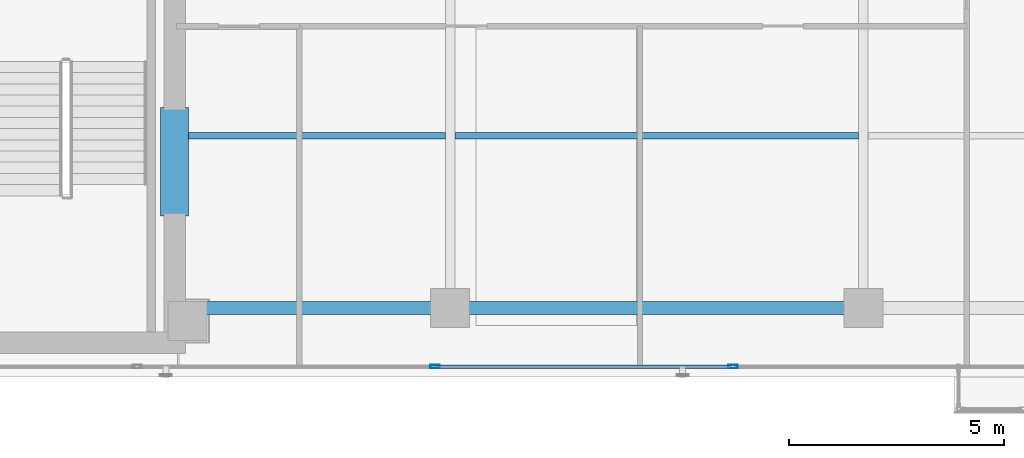
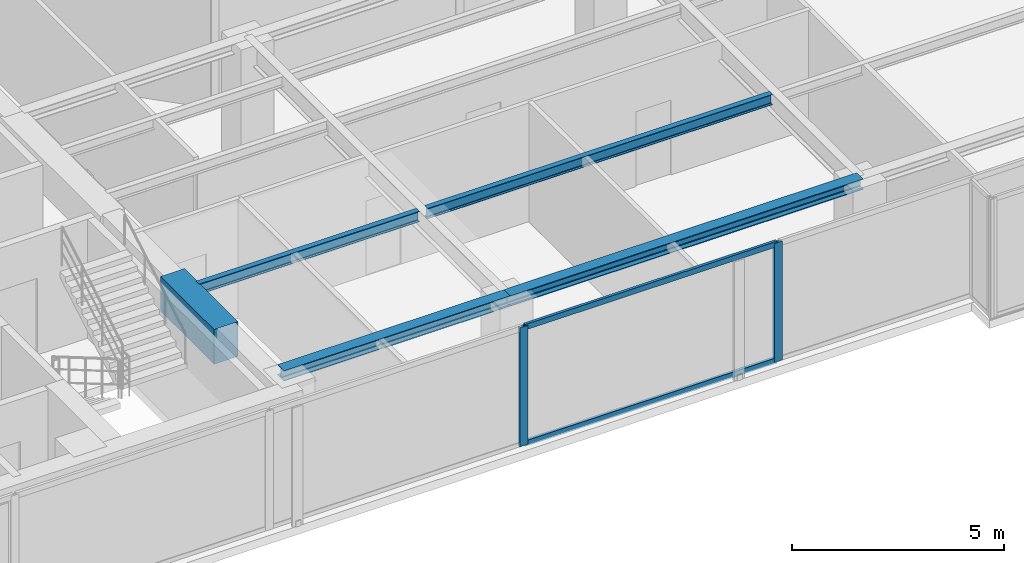
# One storey, part 4 of 23: 5 beams, 4 members, 1 element without a shape of its own.
"""IFC4 building model written with IfcOpenShell, lengths in metres."""

from ifc_helpers import new_model, si_unit, direction, frame, origin, origin_with_axes, origin_2d, place, context, subcontext, project, spatial, rectangle, hollow_rectangle, i_section, extrude, source, transform, mapped, material, layer, layer_set, material_profile, profile_set, type_object, element, aggregate, save


model = new_model("IFC4")

# Units and contexts
model_context = context("Model", 3, precision=1e-05, world=origin(), true_north=direction((0.0, 1.0)))
body_context = subcontext(model_context, "Body", "Model", "MODEL_VIEW")
ifc_project = project(units=[si_unit("LENGTHUNIT", "METRE"), si_unit("AREAUNIT", "SQUARE_METRE"), si_unit("VOLUMEUNIT", "CUBIC_METRE"), si_unit("PLANEANGLEUNIT", "RADIAN"), si_unit("MASSUNIT", "GRAM", prefix="KILO")], contexts=[model_context])

# Site, building, storey
site_placement = place(None, origin())
site = spatial("IfcSite", under=ifc_project, at=site_placement, CompositionType="ELEMENT")
building_placement = place(site_placement, origin())
building = spatial("IfcBuilding", under=site, at=building_placement, Name="Kolvaren Waterfront Exchange", CompositionType="ELEMENT")
storey_placement = place(building_placement, frame((0.0, 0.0, 335.0)))
storey = spatial("IfcBuildingStorey", under=building, at=storey_placement, Name="L86", CompositionType="ELEMENT", Elevation=335.0)

# Beams
ifc_material_1 = material(Name="Steel S355", Category="steel")
ifc_material_profile_1 = material_profile(ifc_material_1, i_section(OverallWidth=0.300048828125, OverallDepth=0.300048828125, WebThickness=0.010986328125, FlangeThickness=0.01904296875, FilletRadius=0.027099609375, at=origin_2d()), Name="HEB300")
ifc_profile_set_1 = profile_set([ifc_material_profile_1], Name="Steel S355")
beam_type_1 = type_object("IfcBeamType", Name="STR-BM-HEB300", PredefinedType="SPANDREL", material=ifc_profile_set_1)
beam_1_placement = place(storey_placement, frame((21.050048828125, 5.199951171875, 3.27001953125), z_axis=(1.0, 0.0, 0.0), x_axis=(0.0, 1.0, 0.0)))
element("IfcBeam", 1, at=beam_1_placement, inside=storey, type_object=beam_type_1, Name="L86 east-arm spandrel S1", PredefinedType="SPANDREL", context=body_context, shape_type="SweptSolid", body=[
    extrude(i_section(OverallWidth=0.300048828125, OverallDepth=0.300048828125, WebThickness=0.010986328125, FlangeThickness=0.01904296875, FilletRadius=0.027099609375, at=origin_2d()), origin(), (0.0, 0.0, 1.0), 6.14990234375),
])
beam_2_placement = place(storey_placement, frame((27.199951171875, 5.199951171875, 3.27001953125), z_axis=(1.0, 0.0, 0.0), x_axis=(0.0, 1.0, 0.0)))
element("IfcBeam", 2, at=beam_2_placement, inside=storey, type_object=beam_type_1, Name="L86 east-arm spandrel S2", PredefinedType="SPANDREL", context=body_context, shape_type="SweptSolid", body=[
    extrude(i_section(OverallWidth=0.300048828125, OverallDepth=0.300048828125, WebThickness=0.010986328125, FlangeThickness=0.01904296875, FilletRadius=0.027099609375, at=origin_2d()), origin(), (0.0, 0.0, 1.0), 9.60009765625),
])
ifc_material_profile_2 = material_profile(ifc_material_1, i_section(OverallWidth=0.14990234375, OverallDepth=0.300048828125, WebThickness=0.007080078125, FlangeThickness=0.0107421875, FilletRadius=0.014892578125, at=origin_2d()), Name="IPE300")
ifc_profile_set_2 = profile_set([ifc_material_profile_2], Name="Steel S355")
beam_type_2 = type_object("IfcBeamType", Name="STR-BM-IPE300", PredefinedType="JOIST", material=ifc_profile_set_2)
beam_3_placement = place(storey_placement, frame((21.10009765625, 9.199951171875, 3.27001953125), z_axis=(1.0, 0.0, 0.0), x_axis=(0.0, 1.0, 0.0)))
element("IfcBeam", 3, at=beam_3_placement, inside=storey, type_object=beam_type_2, Name="L86 east-arm composite joist 1B", PredefinedType="JOIST", context=body_context, shape_type="SweptSolid", body=[
    extrude(i_section(OverallWidth=0.14990234375, OverallDepth=0.300048828125, WebThickness=0.007080078125, FlangeThickness=0.0107421875, FilletRadius=0.014892578125, at=origin_2d()), origin(), (0.0, 0.0, 1.0), 5.98779296875),
])
beam_4_placement = place(storey_placement, frame((27.31201171875, 9.199951171875, 3.27001953125), z_axis=(1.0, 0.0, 0.0), x_axis=(0.0, 1.0, 0.0)))
element("IfcBeam", 4, at=beam_4_placement, inside=storey, type_object=beam_type_2, Name="L86 east-arm composite joist 2B", PredefinedType="JOIST", context=body_context, shape_type="SweptSolid", body=[
    extrude(i_section(OverallWidth=0.14990234375, OverallDepth=0.300048828125, WebThickness=0.007080078125, FlangeThickness=0.0107421875, FilletRadius=0.014892578125, at=origin_2d()), origin(), (0.0, 0.0, 1.0), 9.3759765625),
])
ifc_material_2 = material(Name="Concrete C60/75", Category="concrete")
ifc_material_profile_3 = material_profile(ifc_material_2, rectangle(XDim=0.64990234375, YDim=1.0, at=origin_2d()), Name="RC-CB-1000x650")
ifc_profile_set_3 = profile_set([ifc_material_profile_3], Name="Concrete C60/75")
beam_type_3 = type_object("IfcBeamType", Name="STR-CB-1000", PredefinedType="SPANDREL", material=ifc_profile_set_3)
beam_5_placement = place(storey_placement, frame((20.800048828125, 7.340087890625, 2.919921875), z_axis=(0.0, 1.0, 0.0), x_axis=(-1.0, 0.0, 0.0)))
element("IfcBeam", 5, at=beam_5_placement, inside=storey, type_object=beam_type_3, Name="L86 core coupling beam 1", PredefinedType="SPANDREL", context=body_context, shape_type="SweptSolid", body=[
    extrude(rectangle(XDim=0.64990234375, YDim=1.0, at=origin_2d()), origin(), (0.0, 0.0, 1.0), 2.52001953125),
])

# Curtain wall, members
ifc_material_3 = material(Name="Anodised bronze aluminium 6063-T6", Category="aluminium")
ifc_layer = layer(ifc_material_3, 0.219970703125, Name="Anodised bronze aluminium 6063-T6")
ifc_layer_set = layer_set([ifc_layer], Name="Anodised bronze aluminium 6063-T6")
curtain_wall_type = type_object("IfcCurtainWallType", Name="ARC-CW-SYS1", PredefinedType="USERDEFINED", material=ifc_layer_set)
curtain_wall_placement = place(storey_placement, origin())
curtain_wall = element("IfcCurtainWall", 6, at=curtain_wall_placement, inside=storey, type_object=curtain_wall_type, Name="L86 stick curtain wall CW1 (CW-L86-S)", ObjectType="STICK CURTAIN WALL", PredefinedType="USERDEFINED")
ifc_material_4 = material(Name="Anodised aluminium 6063-T6", Category="aluminium")
ifc_material_profile_4 = material_profile(ifc_material_4, hollow_rectangle(XDim=0.080078125, YDim=0.219970703125, WallThickness=0.0048828125, at=origin_2d()), Name="ALU-MUL-220x80x5")
ifc_profile_set_4 = profile_set([ifc_material_profile_4], Name="Anodised aluminium 6063-T6")
member_type_1 = type_object("IfcMemberType", Name="ARC-CWM-220", PredefinedType="MULLION", material=ifc_profile_set_4)
shared_shape_1 = source(origin_with_axes(), body_context, "Body", "SweptSolid", [
    extrude(hollow_rectangle(XDim=0.080078125, YDim=0.219970703125, WallThickness=0.0048828125, at=origin_2d()), origin(), (0.0, 0.0, 1.0), 3.419921875),
])
member_1_placement = place(storey_placement, frame((26.85009765625, 3.840087890625, 0.0), z_axis=(0.0, 0.0, 1.0), x_axis=(0.0, 1.0, 0.0)))
member_1 = element("IfcMember", 7, at=member_1_placement, type_object=member_type_1, Name="CW1 mullion 4", PredefinedType="MULLION", context=body_context, shape_type="MappedRepresentation", body=[
    mapped(shared_shape_1, transform((0.0, 0.0, 0.0), x_axis=(1.0, 0.0, 0.0), y_axis=(0.0, 1.0, 0.0), z_axis=(0.0, 0.0, 1.0), scale=1.0)),
])
member_2_placement = place(storey_placement, frame((33.7666015625, 3.840087890625, 0.0), z_axis=(0.0, 0.0, 1.0), x_axis=(0.0, 1.0, 0.0)))
member_2 = element("IfcMember", 8, at=member_2_placement, type_object=member_type_1, Name="CW1 mullion 5", PredefinedType="MULLION", context=body_context, shape_type="MappedRepresentation", body=[
    mapped(shared_shape_1, transform((0.0, 0.0, 0.0), x_axis=(1.0, 0.0, 0.0), y_axis=(0.0, 1.0, 0.0), z_axis=(0.0, 0.0, 1.0), scale=1.0)),
])
ifc_material_profile_5 = material_profile(ifc_material_4, hollow_rectangle(XDim=0.074951171875, YDim=0.159912109375, WallThickness=0.00439453125, at=origin_2d()), Name="ALU-TRN-160x75x4.5")
ifc_profile_set_5 = profile_set([ifc_material_profile_5], Name="Anodised aluminium 6063-T6")
member_type_2 = type_object("IfcMemberType", Name="ARC-CWT-160", PredefinedType="USERDEFINED", material=ifc_profile_set_5)
shared_shape_2 = source(origin_with_axes(), body_context, "Body", "SweptSolid", [
    extrude(hollow_rectangle(XDim=0.074951171875, YDim=0.159912109375, WallThickness=0.00439453125, at=origin_2d()), origin(), (0.0, 0.0, 1.0), 6.836669921875),
])
member_3_placement = place(storey_placement, frame((26.889892578125, 3.840087890625, 0.03759765625), z_axis=(1.0, 0.0, 0.0), x_axis=(0.0, 1.0, 0.0)))
member_3 = element("IfcMember", 9, at=member_3_placement, type_object=member_type_2, Name="CW1 transom 4.1", ObjectType="TRANSOM", PredefinedType="USERDEFINED", context=body_context, shape_type="MappedRepresentation", body=[
    mapped(shared_shape_2, transform((0.0, 0.0, 0.0), x_axis=(1.0, 0.0, 0.0), y_axis=(0.0, 1.0, 0.0), z_axis=(0.0, 0.0, 1.0), scale=1.0)),
])
member_4_placement = place(storey_placement, frame((26.889892578125, 3.840087890625, 3.382568359375), z_axis=(1.0, 0.0, 0.0), x_axis=(0.0, 1.0, 0.0)))
member_4 = element("IfcMember", 10, at=member_4_placement, type_object=member_type_2, Name="CW1 transom 4.2", ObjectType="TRANSOM", PredefinedType="USERDEFINED", context=body_context, shape_type="MappedRepresentation", body=[
    mapped(shared_shape_2, transform((0.0, 0.0, 0.0), x_axis=(1.0, 0.0, 0.0), y_axis=(0.0, 1.0, 0.0), z_axis=(0.0, 0.0, 1.0), scale=1.0)),
])
aggregate(curtain_wall, [member_1, member_2, member_3, member_4])

save(model, "model.ifc")
